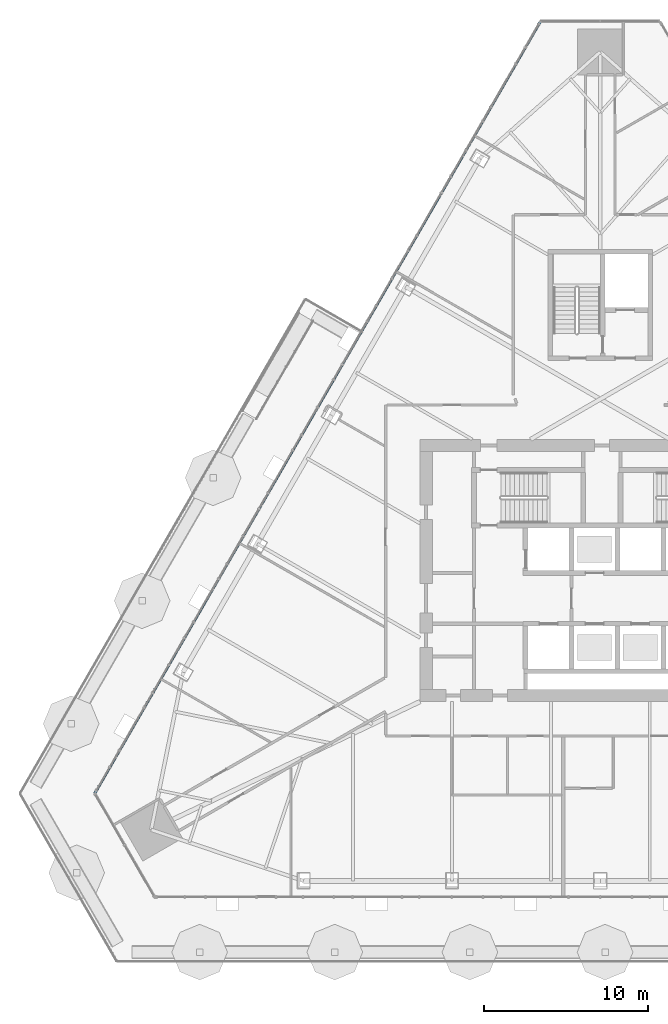
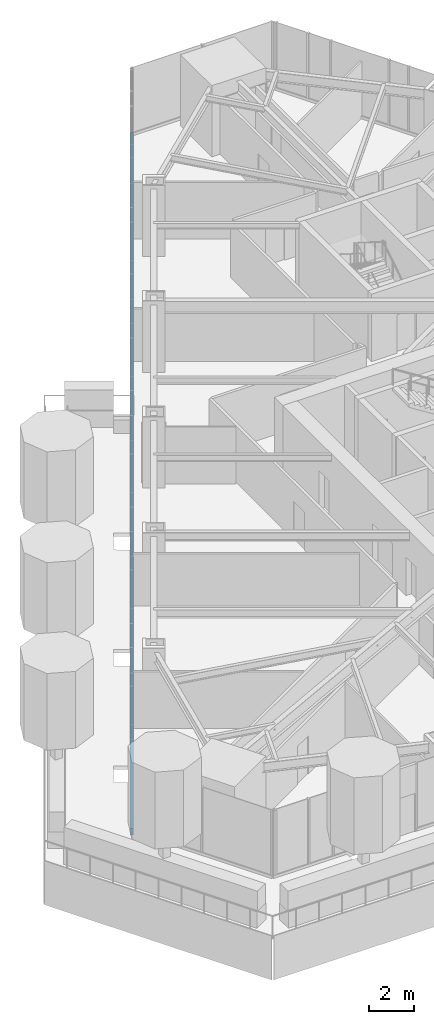
# One storey, part 9 of 32: 1 member, 1 element without a shape of its own.
"""IFC4 building model written with IfcOpenShell, lengths in metres."""

from ifc_helpers import new_model, si_unit, direction, frame, origin, origin_2d, place, context, subcontext, project, spatial, rectangle, extrude, material, layer, layer_set, material_profile, profile_set, type_object, element, aggregate, save


model = new_model("IFC4")

# Units and contexts
model_context = context("Model", 3, precision=1e-05, world=origin(), true_north=direction((0.0, 1.0)))
body_context = subcontext(model_context, "Body", "Model", "MODEL_VIEW")
ifc_project = project(units=[si_unit("LENGTHUNIT", "METRE"), si_unit("AREAUNIT", "SQUARE_METRE"), si_unit("VOLUMEUNIT", "CUBIC_METRE"), si_unit("PLANEANGLEUNIT", "RADIAN"), si_unit("MASSUNIT", "GRAM", prefix="KILO")], contexts=[model_context])

# Site, building, storey
site_placement = place(None, origin())
site = spatial("IfcSite", under=ifc_project, at=site_placement, CompositionType="ELEMENT")
building_placement = place(site_placement, origin())
building = spatial("IfcBuilding", under=site, at=building_placement, Name="Firuza Gate Tower and Library", CompositionType="ELEMENT")
storey_placement = place(building_placement, frame((0.0, 0.0, 163.60009765625)))
storey = spatial("IfcBuildingStorey", under=building, at=storey_placement, Name="L37", CompositionType="ELEMENT", Elevation=163.60009765625)

# Curtain wall, member
ifc_material_1 = material(Name="Aluminium 6063-T6", Category="aluminium")
ifc_layer = layer(ifc_material_1, 0.14990234375)
ifc_layer_set = layer_set([ifc_layer], Name="Unitised curtain wall, hotel")
curtain_wall_type = type_object("IfcCurtainWallType", Name="Unitised curtain wall, hotel", PredefinedType="NOTDEFINED", material=ifc_layer_set)
curtain_wall_placement = place(storey_placement, origin())
curtain_wall = element("IfcCurtainWall", 1, at=curtain_wall_placement, inside=storey, type_object=curtain_wall_type, Name="CW2 L37 W face", PredefinedType="NOTDEFINED")
ifc_material_2 = material(Name="Aluminium 6063-T6", Category="aluminium")
ifc_material_profile = material_profile(ifc_material_2, rectangle(XDim=0.14990234375, YDim=0.35009765625, at=origin_2d()))
ifc_profile_set = profile_set([ifc_material_profile], Name="Aluminium 6063-T6")
member_type = type_object("IfcMemberType", Name="Curtain wall transom 350x150", PredefinedType="USERDEFINED", material=ifc_profile_set)
member_placement = place(storey_placement, frame((71.356689453125, 108.517333984375, -0.025146484375), z_axis=(-0.500001200032, -0.866024710944, 0.0), x_axis=(0.866024710944, -0.500001200032, 0.0)))
member = element("IfcMember", 2, at=member_placement, type_object=member_type, Name="Transom", ObjectType="TRANSOM", PredefinedType="USERDEFINED", context=body_context, shape_type="SweptSolid", body=[
    extrude(rectangle(XDim=0.14990234375, YDim=0.35009765625, at=origin_2d()), origin(), (0.0, 0.0, 1.0), 54.410400390625),
])
aggregate(curtain_wall, [member])

save(model, "model.ifc")
